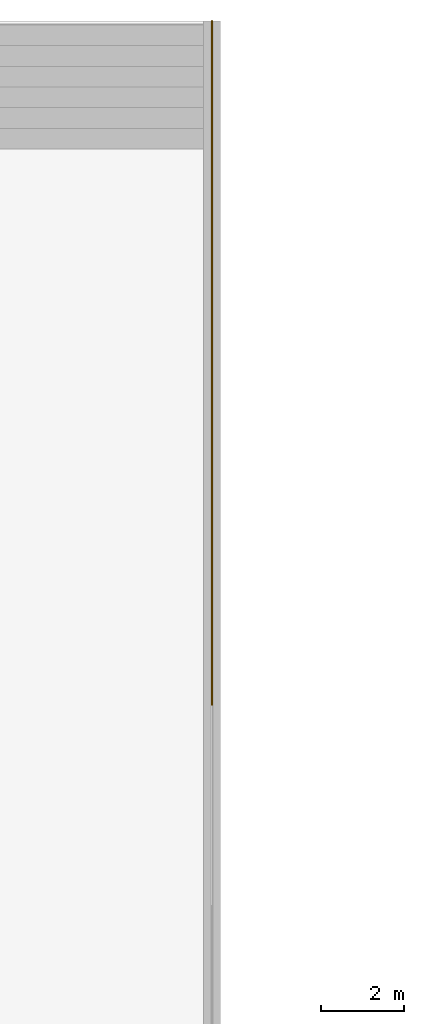
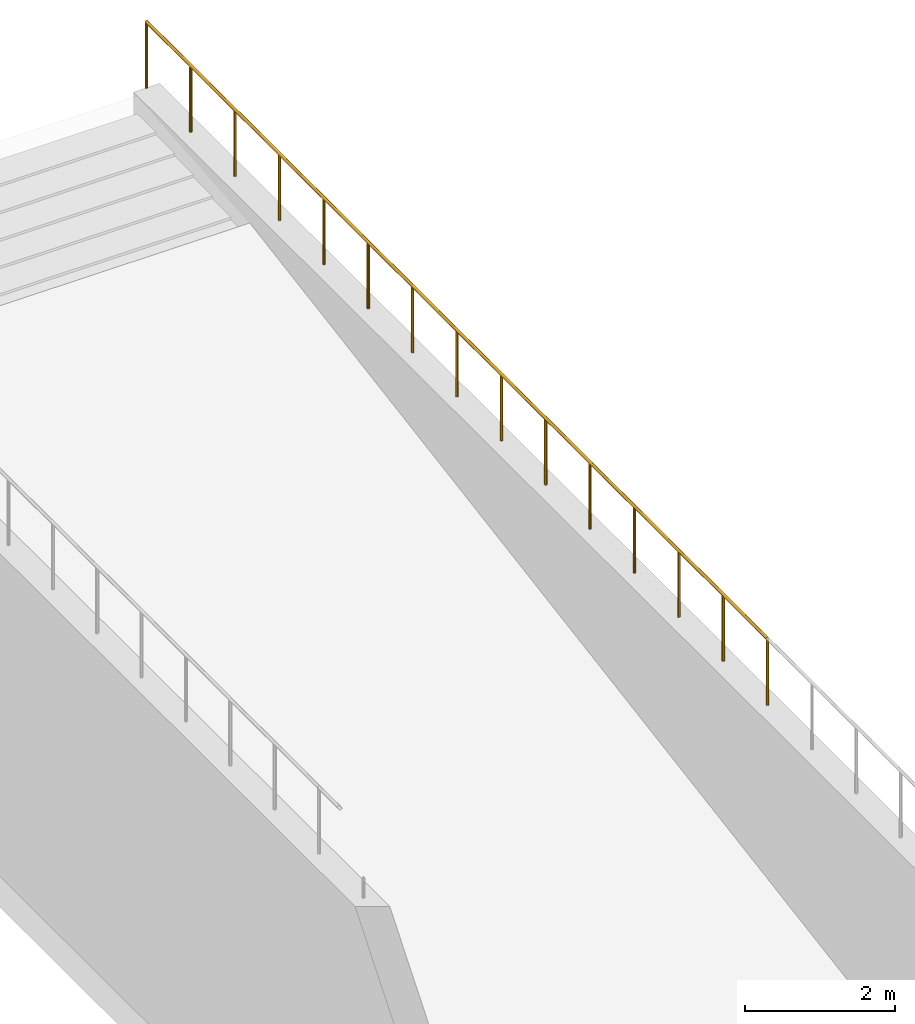
# One storey, part 9 of 10: 1 railing.
"""IFC4 building model written with IfcOpenShell, lengths in metres."""

from ifc_helpers import new_model, si_unit, direction, frame, origin, origin_2d, place, context, subcontext, project, spatial, circle, extrude, material, type_object, element, save


model = new_model("IFC4")

# Units and contexts
model_context = context("Model", 3, precision=1e-05, world=origin(), true_north=direction((0.0, 1.0)))
body_context = subcontext(model_context, "Body", "Model", "MODEL_VIEW")
ifc_project = project(units=[si_unit("LENGTHUNIT", "METRE"), si_unit("AREAUNIT", "SQUARE_METRE"), si_unit("VOLUMEUNIT", "CUBIC_METRE"), si_unit("PLANEANGLEUNIT", "RADIAN"), si_unit("MASSUNIT", "GRAM", prefix="KILO")], contexts=[model_context])

# Site, building, storey
site_placement = place(None, origin())
site = spatial("IfcSite", under=ifc_project, at=site_placement, CompositionType="ELEMENT")
building_placement = place(site_placement, origin())
building = spatial("IfcBuilding", under=site, at=building_placement, Name="Siwar Civic Tower", CompositionType="ELEMENT")
storey_placement = place(building_placement, frame((0.0, 0.0, -5.0)))
storey = spatial("IfcBuildingStorey", under=building, at=storey_placement, Name="B1", CompositionType="ELEMENT", Elevation=-5.0)

# Railing
ifc_material = material(Name="Stainless steel", Category="steel")
railing_type = type_object("IfcRailingType", Name="GND-RAIL", PredefinedType="GUARDRAIL", material=ifc_material)
railing_placement = place(storey_placement, frame((12.449951171875, 49.25, 5.0)))
element("IfcRailing", 1, at=railing_placement, inside=storey, type_object=railing_type, Name="Guard R2", PredefinedType="GUARDRAIL", context=body_context, shape_type="SweptSolid", body=[
    extrude(circle(Radius=0.02392578125, at=origin_2d()), frame((0.0, 0.0, 1.076171875), z_axis=(0.0, 1.0, 0.0), x_axis=(-1.0, 0.0, 0.0)), (0.0, 0.0, 1.0), 16.550048828125),
    extrude(circle(Radius=0.02099609375, at=origin_2d()), origin(), (0.0, 0.0, 1.0), 1.052001953125),
    extrude(circle(Radius=0.02099609375, at=origin_2d()), frame((0.0, 1.18212890625, 0.0)), (0.0, 0.0, 1.0), 1.052001953125),
    extrude(circle(Radius=0.02099609375, at=origin_2d()), frame((0.0, 2.3642578125, 0.0)), (0.0, 0.0, 1.0), 1.052001953125),
    extrude(circle(Radius=0.02099609375, at=origin_2d()), frame((0.0, 3.54638671875, 0.0)), (0.0, 0.0, 1.0), 1.052001953125),
    extrude(circle(Radius=0.02099609375, at=origin_2d()), frame((0.0, 4.728515625, 0.0)), (0.0, 0.0, 1.0), 1.052001953125),
    extrude(circle(Radius=0.02099609375, at=origin_2d()), frame((0.0, 5.91064453125, 0.0)), (0.0, 0.0, 1.0), 1.052001953125),
    extrude(circle(Radius=0.02099609375, at=origin_2d()), frame((0.0, 7.0927734375, 0.0)), (0.0, 0.0, 1.0), 1.052001953125),
    extrude(circle(Radius=0.02099609375, at=origin_2d()), frame((0.0, 8.27490234375, 0.0)), (0.0, 0.0, 1.0), 1.052001953125),
    extrude(circle(Radius=0.02099609375, at=origin_2d()), frame((0.0, 9.457275390625, 0.0)), (0.0, 0.0, 1.0), 1.052001953125),
    extrude(circle(Radius=0.02099609375, at=origin_2d()), frame((0.0, 10.639404296875, 0.0)), (0.0, 0.0, 1.0), 1.052001953125),
    extrude(circle(Radius=0.02099609375, at=origin_2d()), frame((0.0, 11.821533203125, 0.0)), (0.0, 0.0, 1.0), 1.052001953125),
    extrude(circle(Radius=0.02099609375, at=origin_2d()), frame((0.0, 13.003662109375, 0.0)), (0.0, 0.0, 1.0), 1.052001953125),
    extrude(circle(Radius=0.02099609375, at=origin_2d()), frame((0.0, 14.185791015625, 0.0)), (0.0, 0.0, 1.0), 1.052001953125),
    extrude(circle(Radius=0.02099609375, at=origin_2d()), frame((0.0, 15.367919921875, 0.0)), (0.0, 0.0, 1.0), 1.052001953125),
    extrude(circle(Radius=0.02099609375, at=origin_2d()), frame((0.0, 16.550048828125, 0.0)), (0.0, 0.0, 1.0), 1.052001953125),
])

save(model, "model.ifc")
